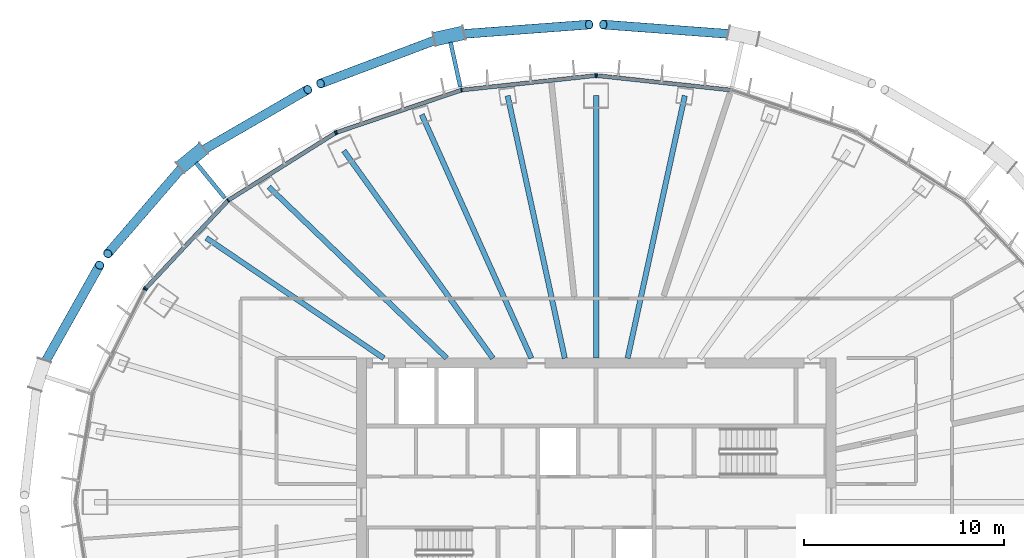
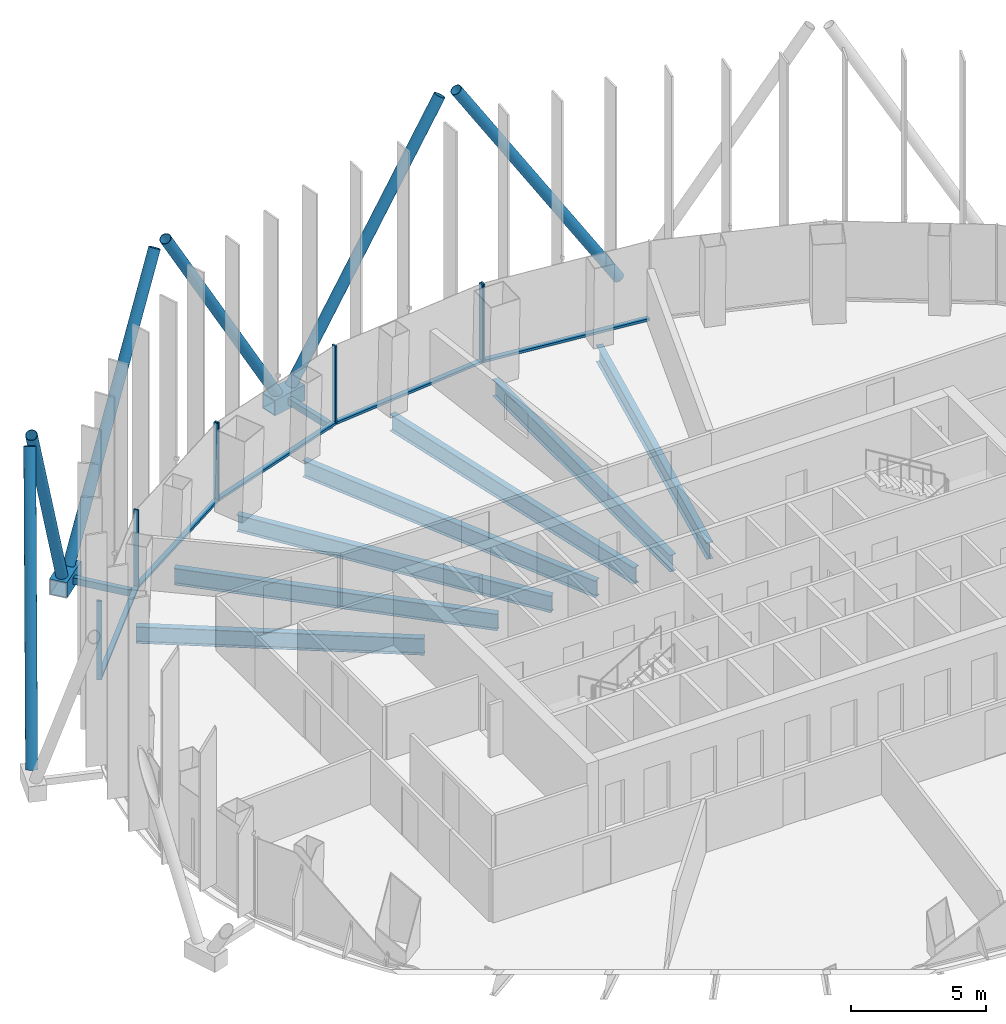
# One storey, part 5 of 19: 23 members, 7 beams, 4 elements without a shape of their own.
"""IFC4 building model written with IfcOpenShell, lengths in metres."""

import ifcopenshell
import ifcopenshell.guid

model = None  # the IFC model being written
_history = None  # IfcOwnerHistory: only IFC2X3 demands one
_inside = {}  # id of a spatial element -> (the spatial element, [elements in it])
_under = {}  # id of a project, library or spatial element -> (it, [spatial elements below it])
_declared = {}  # id of a project -> (the project, [libraries it declares])
_typed = {}  # id of a type object -> (the type object, [elements of that type])
_made_of = {}  # id of a material, layer set ... -> (it, [elements and type objects made of it])


def new_model(schema):
    """Start an empty IFC model of exactly this schema.

    Asked for "IFC4X3", IfcOpenShell would pick the latest addendum, in which some entities
    have other attributes; the version numbers below select the first issue.
    IFC2X3 requires an IfcOwnerHistory on every rooted entity: one is made here for all.
    """
    global model, _history
    if schema == "IFC4X3":
        model = ifcopenshell.file(schema_version=(4, 3, 0, 0))
    else:
        model = ifcopenshell.file(schema=schema)
    _inside.clear()
    _under.clear()
    _declared.clear()
    _typed.clear()
    _made_of.clear()
    _history = None
    if model.schema == "IFC2X3":
        org = make("IfcOrganization", Name="unknown")
        user = make(
            "IfcPersonAndOrganization",
            ThePerson=make("IfcPerson", FamilyName="unknown"),
            TheOrganization=org,
        )
        app = make(
            "IfcApplication",
            ApplicationDeveloper=org,
            Version="unknown",
            ApplicationFullName="unknown",
            ApplicationIdentifier="unknown",
        )
        _history = make(
            "IfcOwnerHistory",
            OwningUser=user,
            OwningApplication=app,
            ChangeAction="ADDED",
            CreationDate=0,
        )
    return model


def make(cls, **values):
    """One entity of the class cls with the attributes given. An attribute that is None is left unset."""
    return model.create_entity(
        cls, **{name: value for name, value in values.items() if value is not None}
    )


def rooted(cls, **values):
    """An entity with a GlobalId (a new one), such as an element, a storey or a relation."""
    return make(cls, GlobalId=ifcopenshell.guid.new(), OwnerHistory=_history, **values)


def si_unit(unit_type, name, prefix=None):
    """IfcSIUnit, for example si_unit("LENGTHUNIT", "METRE", prefix="MILLI")."""
    return make("IfcSIUnit", UnitType=unit_type, Prefix=prefix, Name=name)


def assignment(units):
    """IfcUnitAssignment: the units of a project."""
    return None if units is None else make("IfcUnitAssignment", Units=units)


def point(xyz):
    """IfcCartesianPoint."""
    return None if xyz is None else make("IfcCartesianPoint", Coordinates=xyz)


def direction(xyz):
    """IfcDirection."""
    return None if xyz is None else make("IfcDirection", DirectionRatios=xyz)


def frame(location, z_axis=None, x_axis=None):
    """IfcAxis2Placement3D, a coordinate frame: its origin and axes. An axis left out is left unset."""
    return make(
        "IfcAxis2Placement3D",
        Location=point(location),
        Axis=direction(z_axis),
        RefDirection=direction(x_axis),
    )


def frame_2d(location, x_axis=None):
    """IfcAxis2Placement2D, a coordinate frame in the plane: its origin and x axis."""
    return make(
        "IfcAxis2Placement2D", Location=point(location), RefDirection=direction(x_axis)
    )


def origin():
    """The frame at (0, 0, 0) with its axes left unset."""
    return frame((0.0, 0.0, 0.0))


def origin_2d():
    """The frame at (0, 0) in the plane with its x axis left unset."""
    return frame_2d((0.0, 0.0))


def place(relative_to, where):
    """IfcLocalPlacement: puts the frame where relative to a parent placement (None: the world)."""
    return make(
        "IfcLocalPlacement", PlacementRelTo=relative_to, RelativePlacement=where
    )


def context(
    kind, dimensions, precision=None, world=None, true_north=None, identifier=None
):
    """IfcGeometricRepresentationContext, for example the 3D "Model" context."""
    return make(
        "IfcGeometricRepresentationContext",
        ContextIdentifier=identifier,
        ContextType=kind,
        CoordinateSpaceDimension=dimensions,
        Precision=precision,
        WorldCoordinateSystem=world,
        TrueNorth=true_north,
    )


def subcontext(parent, identifier, kind, view, scale=None):
    """IfcGeometricRepresentationSubContext, for example "Body" below "Model"."""
    return make(
        "IfcGeometricRepresentationSubContext",
        ContextIdentifier=identifier,
        ContextType=kind,
        ParentContext=parent,
        TargetScale=scale,
        TargetView=view,
    )


def project(units=None, contexts=None):
    """IfcProject with its units and contexts."""
    return rooted(
        "IfcProject",
        Name="project",
        RepresentationContexts=contexts,
        UnitsInContext=assignment(units),
    )


def spatial(cls, under=None, at=None, **own):
    """A site, building, storey or space (cls), placed at a placement, below another one or the project."""
    s = rooted(cls, ObjectPlacement=at, **own)
    if under is not None:
        _under.setdefault(under.id(), (under, []))[1].append(s)
    return s


def profile(cls, at=None, kind="AREA", **sizes):
    """A parametric profile (cls). Its sizes go by their IFC names, for example OverallWidth=200.0."""
    return make(cls, ProfileType=kind, Position=at, **sizes)


def rectangle(**sizes):
    """IfcRectangleProfileDef."""
    return profile("IfcRectangleProfileDef", **sizes)


def hollow_rectangle(**sizes):
    """IfcRectangleHollowProfileDef."""
    return profile("IfcRectangleHollowProfileDef", **sizes)


def hollow_circle(**sizes):
    """IfcCircleHollowProfileDef."""
    return profile("IfcCircleHollowProfileDef", **sizes)


def i_section(**sizes):
    """IfcIShapeProfileDef."""
    return profile("IfcIShapeProfileDef", **sizes)


def extrude(swept, where, along, depth):
    """IfcExtrudedAreaSolid: the profile swept, set in the frame where, extruded along a direction by depth."""
    return make(
        "IfcExtrudedAreaSolid",
        SweptArea=swept,
        Position=where,
        ExtrudedDirection=direction(along),
        Depth=depth,
    )


def shape(context_of_items, identifier, shape_type, items):
    """IfcShapeRepresentation: the items that make up one representation, for example the "Body"."""
    return make(
        "IfcShapeRepresentation",
        ContextOfItems=context_of_items,
        RepresentationIdentifier=identifier,
        RepresentationType=shape_type,
        Items=items,
    )


def material(Name=None, Category=None):
    """IfcMaterial."""
    return make("IfcMaterial", Name=Name, Category=Category)


def layer(
    of_material, thickness, ventilated=None, Name=None, Category=None, Priority=None
):
    """IfcMaterialLayer: one layer of a wall or slab, of a material (None: an air gap)."""
    return make(
        "IfcMaterialLayer",
        Material=of_material,
        LayerThickness=thickness,
        IsVentilated=ventilated,
        Name=Name,
        Category=Category,
        Priority=Priority,
    )


def layer_set(layers, Name=None):
    """IfcMaterialLayerSet."""
    return make("IfcMaterialLayerSet", MaterialLayers=layers, LayerSetName=Name)


def material_profile(
    of_material, cross_section, Name=None, Category=None, Priority=None
):
    """IfcMaterialProfile: a cross section and its material."""
    return make(
        "IfcMaterialProfile",
        Name=Name,
        Material=of_material,
        Profile=cross_section,
        Priority=Priority,
        Category=Category,
    )


def profile_set(profiles, Name=None, composite=None):
    """IfcMaterialProfileSet."""
    return make(
        "IfcMaterialProfileSet",
        Name=Name,
        MaterialProfiles=profiles,
        CompositeProfile=composite,
    )


def made_of(thing, what):
    """Note that an element or type object is made of a material, layer set ...; save() writes the relation."""
    if what is not None:
        _made_of.setdefault(what.id(), (what, []))[1].append(thing)
    return thing


def type_object(cls, material=None, **own):
    """A type object (cls), such as IfcWallType, which elements share."""
    return made_of(rooted(cls, **own), material)


def element(
    cls,
    number,
    at=None,
    inside=None,
    cuts=None,
    type_object=None,
    material=None,
    context=None,
    identifier="Body",
    shape_type=None,
    held_by="IfcProductDefinitionShape",
    body=None,
    shapes=None,
    **own,
):
    """One element of the class cls, such as IfcWall. Its Tag is "e" and its number.

    at: its placement. inside: the storey or other place that contains it. cuts: it is an
    opening in that element (IfcRelVoidsElement). A single representation is given by context,
    identifier, shape_type and body (its items); several are given by shapes. held_by: the class
    of the entity that holds the representations. save() writes the other relations.
    """
    e = rooted(cls, Tag="e%d" % number, ObjectPlacement=at, **own)
    if body is not None:
        shapes = [shape(context, identifier, shape_type, body)]
    if shapes is not None:
        e.Representation = make(held_by, Representations=shapes)
    if inside is not None:
        _inside.setdefault(inside.id(), (inside, []))[1].append(e)
    if cuts is not None:
        rooted(
            "IfcRelVoidsElement", RelatingBuildingElement=cuts, RelatedOpeningElement=e
        )
    if type_object is not None:
        _typed.setdefault(type_object.id(), (type_object, []))[1].append(e)
    return made_of(e, material)


def aggregate(whole, parts):
    """IfcRelAggregates: a whole, such as a stair, and the parts it consists of."""
    return rooted("IfcRelAggregates", RelatingObject=whole, RelatedObjects=parts)


def save(model, path):
    """Write the relations noted so far, then the file.

    IfcRelAggregates (storeys below a building ...), IfcRelContainedInSpatialStructure (elements
    in a storey), IfcRelDefinesByType, IfcRelAssociatesMaterial and IfcRelDeclares: one each for
    every whole, place, type object, material and project.
    """
    for whole, parts in _under.values():
        aggregate(whole, parts)
    for where, things in _inside.values():
        rooted(
            "IfcRelContainedInSpatialStructure",
            RelatedElements=things,
            RelatingStructure=where,
        )
    for kind, things in _typed.values():
        rooted("IfcRelDefinesByType", RelatedObjects=things, RelatingType=kind)
    for what, things in _made_of.values():
        rooted("IfcRelAssociatesMaterial", RelatedObjects=things, RelatingMaterial=what)
    for by, libraries in _declared.values():
        rooted("IfcRelDeclares", RelatingContext=by, RelatedDefinitions=libraries)
    model.write(path)


model = new_model("IFC4")

# Units and contexts
model_context = context("Model", 3, precision=1e-05, world=origin(), true_north=direction((0.0, 1.0)))
body_context = subcontext(model_context, "Body", "Model", "MODEL_VIEW")
ifc_project = project(units=[si_unit("LENGTHUNIT", "METRE"), si_unit("AREAUNIT", "SQUARE_METRE"), si_unit("VOLUMEUNIT", "CUBIC_METRE"), si_unit("PLANEANGLEUNIT", "RADIAN"), si_unit("MASSUNIT", "GRAM", prefix="KILO")], contexts=[model_context])

# Site, building, storey
site_placement = place(None, origin())
site = spatial("IfcSite", under=ifc_project, at=site_placement, CompositionType="ELEMENT")
building_placement = place(site_placement, origin())
building = spatial("IfcBuilding", under=site, at=building_placement, Name="Siaravel Broadcast Tower", CompositionType="ELEMENT")
storey_placement = place(building_placement, frame((0.0, 0.0, 97.10009765625)))
storey = spatial("IfcBuildingStorey", under=building, at=storey_placement, Name="L22", CompositionType="ELEMENT", Elevation=97.10009765625)

# Beams
ifc_material_1 = material(Name="Steel S355", Category="steel")
ifc_material_profile_1 = material_profile(ifc_material_1, i_section(OverallWidth=0.26513671875, OverallDepth=0.75390625, WebThickness=0.0126953125, FlangeThickness=0.017578125, FilletRadius=0.0166015625, at=origin_2d()))
ifc_profile_set_1 = profile_set([ifc_material_profile_1], Name="Steel S355")
beam_type = type_object("IfcBeamType", Name="BM-UB 762x267x147", PredefinedType="BEAM", material=ifc_profile_set_1)
beam_1_placement = place(storey_placement, frame((4.431884765625, 20.328125, -0.527099609375), z_axis=(-0.213005928, -0.977050907, 0.0), x_axis=(0.977050907, -0.213005928, 0.0)))
element("IfcBeam", 1, at=beam_1_placement, inside=storey, type_object=beam_type, Name="Radial beam RB09", PredefinedType="BEAM", context=body_context, shape_type="SweptSolid", body=[
    extrude(i_section(OverallWidth=0.26513671875, OverallDepth=0.75390625, WebThickness=0.0126953125, FlangeThickness=0.017578125, FilletRadius=0.0166015625, at=origin_2d()), origin(), (0.0, 0.0, 1.0), 13.4365234375),
])
beam_2_placement = place(storey_placement, frame((0.0, 20.345703125, -0.527099609375), z_axis=(0.0, -1.0, 0.0), x_axis=(1.0, 0.0, 0.0)))
element("IfcBeam", 2, at=beam_2_placement, inside=storey, type_object=beam_type, Name="Radial beam RB10", PredefinedType="BEAM", context=body_context, shape_type="SweptSolid", body=[
    extrude(i_section(OverallWidth=0.26513671875, OverallDepth=0.75390625, WebThickness=0.0126953125, FlangeThickness=0.017578125, FilletRadius=0.0166015625, at=origin_2d()), origin(), (0.0, 0.0, 1.0), 13.145751953125),
])
beam_3_placement = place(storey_placement, frame((-4.431884765625, 20.328125, -0.527099609375), z_axis=(0.213005928, -0.977050907, 0.0), x_axis=(0.977050907, 0.213005928, 0.0)))
element("IfcBeam", 3, at=beam_3_placement, inside=storey, type_object=beam_type, Name="Radial beam RB11", PredefinedType="BEAM", context=body_context, shape_type="SweptSolid", body=[
    extrude(i_section(OverallWidth=0.26513671875, OverallDepth=0.75390625, WebThickness=0.0126953125, FlangeThickness=0.017578125, FilletRadius=0.0166015625, at=origin_2d()), origin(), (0.0, 0.0, 1.0), 13.4365234375),
])
beam_4_placement = place(storey_placement, frame((-8.72607421875, 19.3857421875, -0.527099609375), z_axis=(0.410458111, -0.911879454, 0.0), x_axis=(0.911879454, 0.410458111, 0.0)))
element("IfcBeam", 4, at=beam_4_placement, inside=storey, type_object=beam_type, Name="Radial beam RB12", PredefinedType="BEAM", context=body_context, shape_type="SweptSolid", body=[
    extrude(i_section(OverallWidth=0.26513671875, OverallDepth=0.75390625, WebThickness=0.0126953125, FlangeThickness=0.017578125, FilletRadius=0.0166015625, at=origin_2d()), origin(), (0.0, 0.0, 1.0), 13.36328125),
])
beam_5_placement = place(storey_placement, frame((-12.62060546875, 17.578125, -0.527099609375), z_axis=(0.583215836, -0.812317234, 0.0), x_axis=(0.812317234, 0.583215836, 0.0)))
element("IfcBeam", 5, at=beam_5_placement, inside=storey, type_object=beam_type, Name="Radial beam RB13", PredefinedType="BEAM", context=body_context, shape_type="SweptSolid", body=[
    extrude(i_section(OverallWidth=0.26513671875, OverallDepth=0.75390625, WebThickness=0.0126953125, FlangeThickness=0.017578125, FilletRadius=0.0166015625, at=origin_2d()), origin(), (0.0, 0.0, 1.0), 12.776123046875),
])
beam_6_placement = place(storey_placement, frame((-16.3759765625, 15.76904296875, -0.527099609375), z_axis=(0.720320579, -0.693641307, 0.0), x_axis=(0.693641307, 0.720320579, 0.0)))
element("IfcBeam", 6, at=beam_6_placement, inside=storey, type_object=beam_type, Name="Radial beam RB14", PredefinedType="BEAM", context=body_context, shape_type="SweptSolid", body=[
    extrude(i_section(OverallWidth=0.26513671875, OverallDepth=0.75390625, WebThickness=0.0126953125, FlangeThickness=0.017578125, FilletRadius=0.0166015625, at=origin_2d()), origin(), (0.0, 0.0, 1.0), 12.353759765625),
])
beam_7_placement = place(storey_placement, frame((-19.497314453125, 13.21240234375, -0.527099609375), z_axis=(0.827824507, -0.560987153, 0.0), x_axis=(0.560987153, 0.827824507, 0.0)))
element("IfcBeam", 7, at=beam_7_placement, inside=storey, type_object=beam_type, Name="Radial beam RB15", PredefinedType="BEAM", context=body_context, shape_type="SweptSolid", body=[
    extrude(i_section(OverallWidth=0.26513671875, OverallDepth=0.75390625, WebThickness=0.0126953125, FlangeThickness=0.017578125, FilletRadius=0.0166015625, at=origin_2d()), origin(), (0.0, 0.0, 1.0), 10.717529296875),
])

# Curtain wall, member
ifc_material_2 = material(Name="Aluminium 6063-T6", Category="aluminium")
ifc_layer = layer(ifc_material_2, 0.199951171875)
ifc_layer_set = layer_set([ifc_layer], Name="Aluminium 6063-T6")
curtain_wall_type = type_object("IfcCurtainWallType", Name="Unitised curtain wall, zone 2", PredefinedType="NOTDEFINED", material=ifc_layer_set)
curtain_wall_1_placement = place(storey_placement, origin())
curtain_wall_1 = element("IfcCurtainWall", 8, at=curtain_wall_1_placement, inside=storey, type_object=curtain_wall_type, Name="L22 Unitised curtain wall, zone 2 03", PredefinedType="NOTDEFINED")
ifc_material_profile_2 = material_profile(ifc_material_2, rectangle(XDim=0.199951171875, YDim=0.06494140625, at=origin_2d()))
ifc_profile_set_2 = profile_set([ifc_material_profile_2], Name="Aluminium 6063-T6")
member_type_1 = type_object("IfcMemberType", Name="CW-Z2 mullion", PredefinedType="MULLION", material=ifc_profile_set_2)
member_1_placement = place(storey_placement, frame((0.0322265625, 21.334716796875, 0.0), z_axis=(0.0, 0.0, 1.0), x_axis=(-0.107217428, -0.994235597, 0.0)))
member_1 = element("IfcMember", 9, at=member_1_placement, type_object=member_type_1, Name="CW-Z2 mullion 3", PredefinedType="MULLION", context=body_context, shape_type="SweptSolid", body=[
    extrude(rectangle(XDim=0.199951171875, YDim=0.06494140625, at=origin_2d()), origin(), (0.0, 0.0, 1.0), 3.5498046875),
])

# Curtain wall, members
curtain_wall_2_placement = place(storey_placement, origin())
curtain_wall_2 = element("IfcCurtainWall", 10, at=curtain_wall_2_placement, inside=storey, type_object=curtain_wall_type, Name="L22 Unitised curtain wall, zone 2 04", PredefinedType="NOTDEFINED")
member_2_placement = place(storey_placement, frame((-0.0322265625, 21.334716796875, 0.0), z_axis=(0.0, 0.0, 1.0), x_axis=(0.107217428, -0.994235597, 0.0)))
member_2 = element("IfcMember", 11, at=member_2_placement, type_object=member_type_1, Name="CW-Z2 mullion 1", PredefinedType="MULLION", context=body_context, shape_type="SweptSolid", body=[
    extrude(rectangle(XDim=0.199951171875, YDim=0.06494140625, at=origin_2d()), origin(), (0.0, 0.0, 1.0), 3.5498046875),
])
member_3_placement = place(storey_placement, frame((-6.7373046875, 20.61181640625, 0.0), z_axis=(0.0, 0.0, 1.0), x_axis=(0.215557941, -0.976491052, 0.0)))
member_3 = element("IfcMember", 12, at=member_3_placement, type_object=member_type_1, Name="CW-Z2 mullion 2", PredefinedType="MULLION", context=body_context, shape_type="SweptSolid", body=[
    extrude(rectangle(XDim=0.199951171875, YDim=0.06494140625, at=origin_2d()), origin(), (0.0, 0.0, 1.0), 3.5498046875),
])
member_4_placement = place(storey_placement, frame((-12.9853515625, 18.491943359375, 0.0), z_axis=(0.0, 0.0, 1.0), x_axis=(0.321300433, -0.946977313, 0.0)))
member_4 = element("IfcMember", 13, at=member_4_placement, type_object=member_type_1, Name="CW-Z2 mullion 3", PredefinedType="MULLION", context=body_context, shape_type="SweptSolid", body=[
    extrude(rectangle(XDim=0.199951171875, YDim=0.06494140625, at=origin_2d()), origin(), (0.0, 0.0, 1.0), 3.5498046875),
])

curtain_wall_3_placement = place(storey_placement, origin())
curtain_wall_3 = element("IfcCurtainWall", 14, at=curtain_wall_3_placement, inside=storey, type_object=curtain_wall_type, Name="L22 Unitised curtain wall, zone 2 05", PredefinedType="NOTDEFINED")
member_5_placement = place(storey_placement, frame((-13.043701171875, 18.464111328125, 0.0), z_axis=(0.0, 0.0, 1.0), x_axis=(0.5321489, -0.846650783, 0.0)))
member_5 = element("IfcMember", 15, at=member_5_placement, type_object=member_type_1, Name="CW-Z2 mullion 1", PredefinedType="MULLION", context=body_context, shape_type="SweptSolid", body=[
    extrude(rectangle(XDim=0.199951171875, YDim=0.06494140625, at=origin_2d()), origin(), (0.0, 0.0, 1.0), 3.5498046875),
])
member_6_placement = place(storey_placement, frame((-18.408935546875, 15.091796875, 0.0), z_axis=(0.0, 0.0, 1.0), x_axis=(0.636218267, -0.771509117, 0.0)))
member_6 = element("IfcMember", 16, at=member_6_placement, type_object=member_type_1, Name="CW-Z2 mullion 2", PredefinedType="MULLION", context=body_context, shape_type="SweptSolid", body=[
    extrude(rectangle(XDim=0.199951171875, YDim=0.06494140625, at=origin_2d()), origin(), (0.0, 0.0, 1.0), 3.5498046875),
])
member_7_placement = place(storey_placement, frame((-22.526123046875, 10.69677734375, 0.0), z_axis=(0.0, 0.0, 1.0), x_axis=(0.729804854, -0.683655524, 0.0)))
member_7 = element("IfcMember", 17, at=member_7_placement, type_object=member_type_1, Name="CW-Z2 mullion 3", PredefinedType="MULLION", context=body_context, shape_type="SweptSolid", body=[
    extrude(rectangle(XDim=0.199951171875, YDim=0.06494140625, at=origin_2d()), origin(), (0.0, 0.0, 1.0), 3.5498046875),
])

# Curtain wall, member
curtain_wall_4_placement = place(storey_placement, origin())
curtain_wall_4 = element("IfcCurtainWall", 18, at=curtain_wall_4_placement, inside=storey, type_object=curtain_wall_type, Name="L22 Unitised curtain wall, zone 2 06", PredefinedType="NOTDEFINED")
member_8_placement = place(storey_placement, frame((-22.56298828125, 10.64404296875, 0.0), z_axis=(0.0, 0.0, 1.0), x_axis=(0.892391822, -0.451261384, 0.0)))
member_8 = element("IfcMember", 19, at=member_8_placement, type_object=member_type_1, Name="CW-Z2 mullion 1", PredefinedType="MULLION", context=body_context, shape_type="SweptSolid", body=[
    extrude(rectangle(XDim=0.199951171875, YDim=0.06494140625, at=origin_2d()), origin(), (0.0, 0.0, 1.0), 3.5498046875),
])
aggregate(curtain_wall_4, [member_8])

# Member
ifc_material_profile_3 = material_profile(ifc_material_2, rectangle(XDim=0.199951171875, YDim=0.110107421875, at=origin_2d()))
ifc_profile_set_3 = profile_set([ifc_material_profile_3], Name="Aluminium 6063-T6")
member_type_2 = type_object("IfcMemberType", Name="CW-Z2 transom", PredefinedType="USERDEFINED", material=ifc_profile_set_3)
member_9_placement = place(storey_placement, frame((6.705078125, 20.615234375, 0.054931640625), z_axis=(-0.994236043, 0.107213291, 0.0), x_axis=(-0.107213291, -0.994236043, 0.0)))
member_9 = element("IfcMember", 20, at=member_9_placement, type_object=member_type_2, Name="CW-Z2 transom 2", ObjectType="TRANSOM", PredefinedType="USERDEFINED", context=body_context, shape_type="SweptSolid", body=[
    extrude(rectangle(XDim=0.199951171875, YDim=0.110107421875, at=origin_2d()), origin(), (0.0, 0.0, 1.0), 6.678955078125),
])

aggregate(curtain_wall_1, [member_1, member_9])

member_10_placement = place(storey_placement, frame((-0.064697265625, 21.331298828125, 0.054931640625), z_axis=(-0.994236043, -0.107213291, 0.0), x_axis=(0.107213291, -0.994236043, 0.0)))
member_10 = element("IfcMember", 21, at=member_10_placement, type_object=member_type_2, Name="CW-Z2 transom 1", ObjectType="TRANSOM", PredefinedType="USERDEFINED", context=body_context, shape_type="SweptSolid", body=[
    extrude(rectangle(XDim=0.199951171875, YDim=0.110107421875, at=origin_2d()), origin(), (0.0, 0.0, 1.0), 6.678955078125),
])

member_11_placement = place(storey_placement, frame((-6.76806640625, 20.601318359375, 0.054931640625), z_axis=(-0.946973015, -0.321313101, 0.0), x_axis=(0.321313101, -0.946973015, 0.0)))
member_11 = element("IfcMember", 22, at=member_11_placement, type_object=member_type_2, Name="CW-Z2 transom 2", ObjectType="TRANSOM", PredefinedType="USERDEFINED", context=body_context, shape_type="SweptSolid", body=[
    extrude(rectangle(XDim=0.199951171875, YDim=0.110107421875, at=origin_2d()), origin(), (0.0, 0.0, 1.0), 6.532958984375),
])

aggregate(curtain_wall_2, [member_2, member_3, member_4, member_10, member_11])

member_12_placement = place(storey_placement, frame((-13.0712890625, 18.44677734375, 0.054931640625), z_axis=(-0.846655089, -0.532142049, 0.0), x_axis=(0.532142049, -0.846655089, 0.0)))
member_12 = element("IfcMember", 23, at=member_12_placement, type_object=member_type_2, Name="CW-Z2 transom 1", ObjectType="TRANSOM", PredefinedType="USERDEFINED", context=body_context, shape_type="SweptSolid", body=[
    extrude(rectangle(XDim=0.199951171875, YDim=0.110107421875, at=origin_2d()), origin(), (0.0, 0.0, 1.0), 6.272216796875),
])

member_13_placement = place(storey_placement, frame((-18.431396484375, 15.068115234375, 0.054931640625), z_axis=(-0.6836357, -0.729823424, 0.0), x_axis=(0.729823424, -0.6836357, 0.0)))
member_13 = element("IfcMember", 24, at=member_13_placement, type_object=member_type_2, Name="CW-Z2 transom 2", ObjectType="TRANSOM", PredefinedType="USERDEFINED", context=body_context, shape_type="SweptSolid", body=[
    extrude(rectangle(XDim=0.199951171875, YDim=0.110107421875, at=origin_2d()), origin(), (0.0, 0.0, 1.0), 5.95703125),
])

aggregate(curtain_wall_3, [member_5, member_6, member_7, member_12, member_13])

# Members
ifc_material_3 = material(Name="Steel S460", Category="steel")
ifc_material_profile_4 = material_profile(ifc_material_3, hollow_circle(Radius=0.228515625, WallThickness=0.02001953125, at=origin_2d()))
ifc_profile_set_4 = profile_set([ifc_material_profile_4], Name="Steel S460")
member_type_3 = type_object("IfcMemberType", Name="Diagrid diagonal CHS 457x20", PredefinedType="BRACE", material=ifc_profile_set_4)
for number, where, z_axis, x_axis, name in (
    (25, (7.010498046875, 23.391357421875, 0.119873046875), (-0.534788803, 0.03989937, 0.844043231), (-0.074400932, -0.99722841, 0.0), "Diagrid diagonal R10 station 15A"),
    (26, (-7.010498046875, 23.391357421875, 0.119873046875), (0.534788803, 0.03989937, 0.844043231), (-0.074400932, 0.99722841, 0.0), "Diagrid diagonal R10 station 21C"),
):
    element("IfcMember", number, at=place(storey_placement, frame(where, z_axis=z_axis, x_axis=x_axis)), inside=storey, type_object=member_type_3, Name=name, PredefinedType="BRACE", context=body_context, shape_type="SweptSolid", body=[
        extrude(hollow_circle(Radius=0.228515625, WallThickness=0.02001953125, at=origin_2d()), origin(), (0.0, 0.0, 1.0), 12.451904296875),
    ])
member_14_placement = place(storey_placement, frame((-7.697021484375, 23.24072265625, 0.119873046875), z_axis=(-0.492688247, -0.186337728, 0.850021495), x_axis=(0.353751181, -0.935339565, 0.0)))
element("IfcMember", 27, at=member_14_placement, inside=storey, type_object=member_type_3, Name="Diagrid diagonal R10 station 21A", PredefinedType="BRACE", context=body_context, shape_type="SweptSolid", body=[
    extrude(hollow_circle(Radius=0.228515625, WallThickness=0.02001953125, at=origin_2d()), origin(), (0.0, 0.0, 1.0), 12.364501953125),
])
member_15_placement = place(storey_placement, frame((-19.94384765625, 17.443359375, 0.119873046875), z_axis=(0.44902417, 0.259742907, 0.854933282), x_axis=(-0.500720828, 0.865608833, 0.0)))
element("IfcMember", 28, at=member_15_placement, inside=storey, type_object=member_type_3, Name="Diagrid diagonal R10 station 27C", PredefinedType="BRACE", context=body_context, shape_type="SweptSolid", body=[
    extrude(hollow_circle(Radius=0.228515625, WallThickness=0.02001953125, at=origin_2d()), origin(), (0.0, 0.0, 1.0), 12.29345703125),
])
member_16_placement = place(storey_placement, frame((-20.487548828125, 16.998291015625, 0.119873046875), z_axis=(-0.325331869, -0.377002225, 0.867195767), x_axis=(0.757082184, -0.653319651, 0.0)))
element("IfcMember", 29, at=member_16_placement, inside=storey, type_object=member_type_3, Name="Diagrid diagonal R10 station 27A", PredefinedType="BRACE", context=body_context, shape_type="SweptSolid", body=[
    extrude(hollow_circle(Radius=0.228515625, WallThickness=0.02001953125, at=origin_2d()), origin(), (0.0, 0.0, 1.0), 12.11962890625),
])
member_17_placement = place(storey_placement, frame((-27.7265625, 6.709228515625, 0.119873046875), z_axis=(0.239866967, 0.426891503, 0.871910249), x_axis=(-0.871801896, 0.489858607, 0.0)))
element("IfcMember", 30, at=member_17_placement, inside=storey, type_object=member_type_3, Name="Diagrid diagonal R10 station 33C", PredefinedType="BRACE", context=body_context, shape_type="SweptSolid", body=[
    extrude(hollow_circle(Radius=0.228515625, WallThickness=0.02001953125, at=origin_2d()), origin(), (0.0, 0.0, 1.0), 12.053955078125),
])
ifc_material_profile_5 = material_profile(ifc_material_3, hollow_rectangle(XDim=0.699951171875, YDim=0.699951171875, WallThickness=0.0400390625, at=origin_2d()))
ifc_profile_set_5 = profile_set([ifc_material_profile_5], Name="Steel S460")
member_type_4 = type_object("IfcMemberType", Name="Diagrid node BOX 700x700x40", PredefinedType="USERDEFINED", material=ifc_profile_set_5)
member_18_placement = place(storey_placement, frame((-6.617919921875, 23.4775390625, -0.2001953125), z_axis=(-0.976751791, -0.214373361, 0.0), x_axis=(0.214373361, -0.976751791, 0.0)))
element("IfcMember", 31, at=member_18_placement, inside=storey, type_object=member_type_4, Name="Diagrid node R10 station 21", ObjectType="DIAGRID NODE", PredefinedType="USERDEFINED", context=body_context, shape_type="SweptSolid", body=[
    extrude(hollow_rectangle(XDim=0.699951171875, YDim=0.699951171875, WallThickness=0.0400390625, at=origin_2d()), origin(), (0.0, 0.0, 1.0), 1.506591796875),
])
member_19_placement = place(storey_placement, frame((-19.6328125, 17.6982421875, -0.2001953125), z_axis=(-0.773625141, -0.633643545, 0.0), x_axis=(0.633643545, -0.773625141, 0.0)))
element("IfcMember", 32, at=member_19_placement, inside=storey, type_object=member_type_4, Name="Diagrid node R10 station 27", ObjectType="DIAGRID NODE", PredefinedType="USERDEFINED", context=body_context, shape_type="SweptSolid", body=[
    extrude(hollow_rectangle(XDim=0.699951171875, YDim=0.699951171875, WallThickness=0.0400390625, at=origin_2d()), origin(), (0.0, 0.0, 1.0), 1.5068359375),
])
ifc_material_profile_6 = material_profile(ifc_material_3, hollow_rectangle(XDim=0.199951171875, YDim=0.300048828125, WallThickness=0.012451171875, at=origin_2d()))
ifc_profile_set_6 = profile_set([ifc_material_profile_6], Name="Steel S460")
member_type_5 = type_object("IfcMemberType", Name="Diagrid node arm RHS 300x200x12.5", PredefinedType="STRUT", material=ifc_profile_set_6)
member_20_placement = place(storey_placement, frame((-6.79638671875, 20.776611328125, -0.2001953125), z_axis=(-0.214389852, 0.976748172, 0.0), x_axis=(-0.976748172, -0.214389852, 0.0)))
element("IfcMember", 33, at=member_20_placement, inside=storey, type_object=member_type_5, Name="Node arm R10 station 21", PredefinedType="STRUT", context=body_context, shape_type="SweptSolid", body=[
    extrude(hollow_rectangle(XDim=0.199951171875, YDim=0.300048828125, WallThickness=0.012451171875, at=origin_2d()), origin(), (0.0, 0.0, 1.0), 2.27978515625),
])
member_21_placement = place(storey_placement, frame((-18.568115234375, 15.20947265625, -0.2001953125), z_axis=(-0.633715831, 0.773565928, 0.0), x_axis=(-0.773565928, -0.633715831, 0.0)))
element("IfcMember", 34, at=member_21_placement, inside=storey, type_object=member_type_5, Name="Node arm R10 station 27", PredefinedType="STRUT", context=body_context, shape_type="SweptSolid", body=[
    extrude(hollow_rectangle(XDim=0.199951171875, YDim=0.300048828125, WallThickness=0.012451171875, at=origin_2d()), origin(), (0.0, 0.0, 1.0), 2.280029296875),
])

save(model, "model.ifc")
